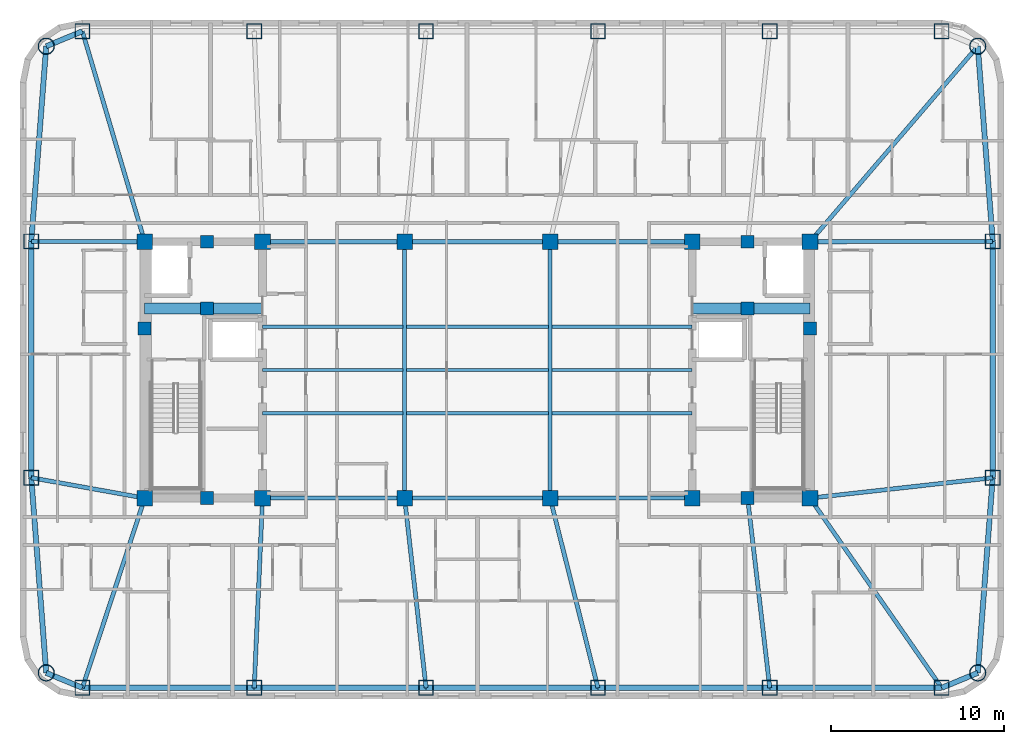
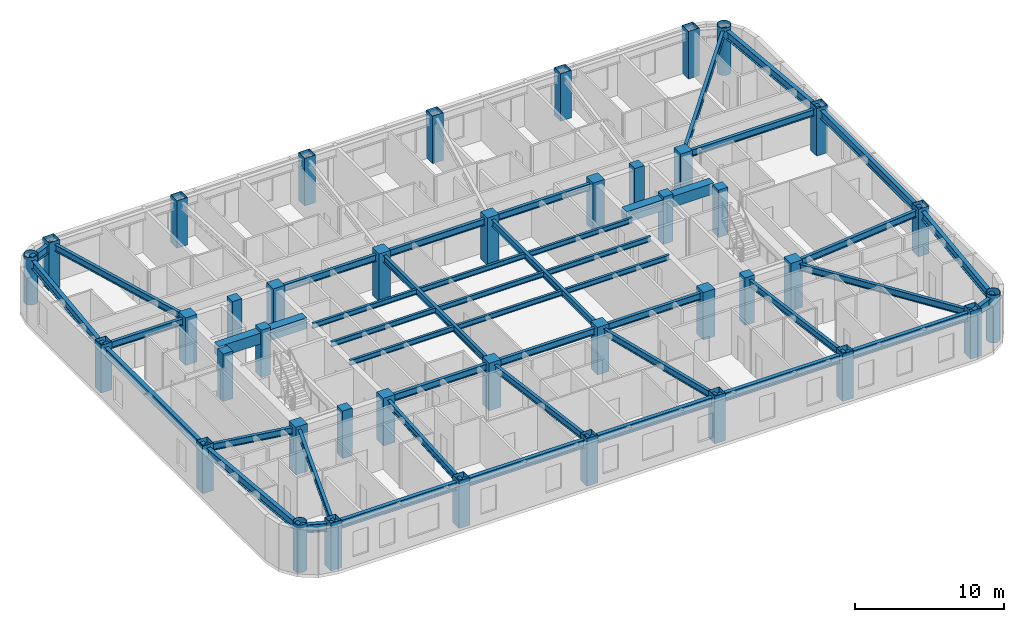
# One storey, part 1 of 11: 45 beams, 40 columns.
"""IFC4 building model written with IfcOpenShell, lengths in metres."""

from ifc_helpers import new_model, si_unit, direction, frame, origin, origin_2d, place, context, subcontext, project, spatial, rectangle, hollow_rectangle, hollow_circle, i_section, extrude, material, material_profile, profile_set, type_object, element, save


model = new_model("IFC4")

# Units and contexts
model_context = context("Model", 3, precision=1e-05, world=origin(), true_north=direction((0.0, 1.0)))
body_context = subcontext(model_context, "Body", "Model", "MODEL_VIEW")
ifc_project = project(units=[si_unit("LENGTHUNIT", "METRE"), si_unit("AREAUNIT", "SQUARE_METRE"), si_unit("VOLUMEUNIT", "CUBIC_METRE"), si_unit("PLANEANGLEUNIT", "RADIAN"), si_unit("MASSUNIT", "GRAM", prefix="KILO")], contexts=[model_context])

# Site, building, storey
site_placement = place(None, origin())
site = spatial("IfcSite", under=ifc_project, at=site_placement, CompositionType="ELEMENT")
building_placement = place(site_placement, origin())
building = spatial("IfcBuilding", under=site, at=building_placement, Name="Voryun Gate Residences", CompositionType="ELEMENT")
storey_placement = place(building_placement, frame((0.0, 0.0, 235.300048828125)))
storey = spatial("IfcBuildingStorey", under=building, at=storey_placement, Name="L58", CompositionType="ELEMENT", Elevation=235.300048828125)

# Columns
ifc_material_1 = material(Name="Concrete C50/60", Category="concrete")
ifc_material_profile_1 = material_profile(ifc_material_1, rectangle(XDim=0.75, YDim=0.75, at=origin_2d()), Name="RC-750x750")
ifc_profile_set_1 = profile_set([ifc_material_profile_1], Name="Concrete C50/60")
column_type_1 = type_object("IfcColumnType", Name="COL_CORE_750", PredefinedType="COLUMN", material=ifc_profile_set_1)
for number, where, z_axis, x_axis, name in (
    (1, (-19.199951171875, 2.39990234375, 0.0), (0.0, 0.0, 1.0), (1.0, 0.0, 0.0), "L58 Core boundary column WC-MW"),
    (2, (-15.60009765625, -7.39990234375, 0.0), (0.0, 0.0, 1.0), (1.0, 0.0, 0.0), "L58 Core boundary column WC-SM"),
    (3, (-15.60009765625, 7.39990234375, 0.0), (0.0, 0.0, 1.0), (1.0, 0.0, 0.0), "L58 Core boundary column WC-NM"),
    (4, (-15.60009765625, 3.550048828125, 0.0), (0.0, 0.0, 1.0), (1.0, 0.0, 0.0), "L58 Core boundary column WC-MM"),
    (5, (15.60009765625, 3.550048828125, 0.0), (0.0, 0.0, 1.0), (1.0, 0.0, 0.0), "L58 Core boundary column EC-MM"),
    (6, (15.60009765625, -7.39990234375, 0.0), (0.0, 0.0, 1.0), (1.0, 0.0, 0.0), "L58 Core boundary column EC-SM"),
    (7, (15.60009765625, 7.39990234375, 0.0), (0.0, 0.0, 1.0), (1.0, 0.0, 0.0), "L58 Core boundary column EC-NM"),
    (8, (19.199951171875, 2.39990234375, 0.0), (0.0, 0.0, 1.0), (1.0, 0.0, 0.0), "L58 Core boundary column EC-ME"),
):
    element("IfcColumn", number, at=place(storey_placement, frame(where, z_axis=z_axis, x_axis=x_axis)), inside=storey, type_object=column_type_1, Name=name, PredefinedType="COLUMN", context=body_context, shape_type="SweptSolid", body=[
        extrude(rectangle(XDim=0.75, YDim=0.75, at=origin_2d()), origin(), (0.0, 0.0, 1.0), 3.89990234375),
    ])
ifc_material_2 = material(Name="Concrete C50/60", Category="concrete")
ifc_material_profile_2 = material_profile(ifc_material_2, rectangle(XDim=0.89990234375, YDim=0.89990234375, at=origin_2d()), Name="RC-900x900")
ifc_profile_set_2 = profile_set([ifc_material_profile_2], Name="Concrete C50/60")
column_type_2 = type_object("IfcColumnType", Name="COL_CORE_900", PredefinedType="COLUMN", material=ifc_profile_set_2)
for number, where, z_axis, x_axis, name in (
    (9, (-19.199951171875, -7.39990234375, 0.0), (0.0, 0.0, 1.0), (1.0, 0.0, 0.0), "L58 Core boundary column WC-SW"),
    (10, (-19.199951171875, 7.39990234375, 0.0), (0.0, 0.0, 1.0), (1.0, 0.0, 0.0), "L58 Core boundary column WC-NW"),
    (11, (-12.39990234375, -7.39990234375, 0.0), (0.0, 0.0, 1.0), (1.0, 0.0, 0.0), "L58 Core boundary column WC-SE"),
    (12, (-12.39990234375, 7.39990234375, 0.0), (0.0, 0.0, 1.0), (1.0, 0.0, 0.0), "L58 Core boundary column WC-NE"),
    (13, (12.39990234375, -7.39990234375, 0.0), (0.0, 0.0, 1.0), (1.0, 0.0, 0.0), "L58 Core boundary column EC-SW"),
    (14, (12.39990234375, 7.39990234375, 0.0), (0.0, 0.0, 1.0), (1.0, 0.0, 0.0), "L58 Core boundary column EC-NW"),
    (15, (19.199951171875, -7.39990234375, 0.0), (0.0, 0.0, 1.0), (1.0, 0.0, 0.0), "L58 Core boundary column EC-SE"),
    (16, (19.199951171875, 7.39990234375, 0.0), (0.0, 0.0, 1.0), (1.0, 0.0, 0.0), "L58 Core boundary column EC-NE"),
    (17, (-4.199951171875, -7.39990234375, 0.0), (0.0, 0.0, 1.0), (1.0, 0.0, 0.0), "L58 Interior spine column SP-WS"),
    (18, (-4.199951171875, 7.39990234375, 0.0), (0.0, 0.0, 1.0), (1.0, 0.0, 0.0), "L58 Interior spine column SP-WN"),
    (19, (4.199951171875, -7.39990234375, 0.0), (0.0, 0.0, 1.0), (1.0, 0.0, 0.0), "L58 Interior spine column SP-ES"),
    (20, (4.199951171875, 7.39990234375, 0.0), (0.0, 0.0, 1.0), (1.0, 0.0, 0.0), "L58 Interior spine column SP-EN"),
):
    element("IfcColumn", number, at=place(storey_placement, frame(where, z_axis=z_axis, x_axis=x_axis)), inside=storey, type_object=column_type_2, Name=name, PredefinedType="COLUMN", context=body_context, shape_type="SweptSolid", body=[
        extrude(rectangle(XDim=0.89990234375, YDim=0.89990234375, at=origin_2d()), origin(), (0.0, 0.0, 1.0), 3.89990234375),
    ])
ifc_material_3 = material(Name="Steel SM420", Category="steel")
ifc_material_profile_3 = material_profile(ifc_material_3, hollow_circle(Radius=0.47509765625, WallThickness=0.031982421875, at=origin_2d()), Name="CHS-950x32")
ifc_profile_set_3 = profile_set([ifc_material_profile_3], Name="Steel SM420")
column_type_3 = type_object("IfcColumnType", Name="COL_CRN_950", PredefinedType="COLUMN", material=ifc_profile_set_3)
for number, where, z_axis, x_axis, name in (
    (21, (28.885986328125, -17.486083984375, 0.0), (0.0, 0.0, 1.0), (1.0, 0.0, 0.0), "L58 Exoskeleton column CSE"),
    (22, (28.885986328125, 18.68603515625, 0.0), (0.0, 0.0, 1.0), (1.0, 0.0, 0.0), "L58 Exoskeleton column CNE"),
    (23, (-24.885986328125, 18.68603515625, 0.0), (0.0, 0.0, 1.0), (1.0, 0.0, 0.0), "L58 Exoskeleton column CNW"),
    (24, (-24.885986328125, -17.486083984375, 0.0), (0.0, 0.0, 1.0), (1.0, 0.0, 0.0), "L58 Exoskeleton column CSW"),
):
    element("IfcColumn", number, at=place(storey_placement, frame(where, z_axis=z_axis, x_axis=x_axis)), inside=storey, type_object=column_type_3, Name=name, PredefinedType="COLUMN", context=body_context, shape_type="SweptSolid", body=[
        extrude(hollow_circle(Radius=0.47509765625, WallThickness=0.031982421875, at=origin_2d()), origin(), (0.0, 0.0, 1.0), 3.89990234375),
    ])
ifc_material_4 = material(Name="Steel SM355", Category="steel")
ifc_material_profile_4 = material_profile(ifc_material_4, hollow_rectangle(XDim=0.85009765625, YDim=0.85009765625, WallThickness=0.028076171875, at=origin_2d()), Name="BOX-850x850x28")
ifc_profile_set_4 = profile_set([ifc_material_profile_4], Name="Steel SM355")
column_type_4 = type_object("IfcColumnType", Name="COL_EXO_B4", PredefinedType="COLUMN", material=ifc_profile_set_4)
for number, where, z_axis, x_axis, name in (
    (25, (-22.800048828125, -18.35009765625, 0.0), (0.0, 0.0, 1.0), (1.0, 0.0, 0.0), "L58 Exoskeleton column S1"),
    (26, (-12.8798828125, -18.35009765625, 0.0), (0.0, 0.0, 1.0), (1.0, 0.0, 0.0), "L58 Exoskeleton column S2"),
    (27, (-2.9599609375, -18.35009765625, 0.0), (0.0, 0.0, 1.0), (1.0, 0.0, 0.0), "L58 Exoskeleton column S3"),
    (28, (6.9599609375, -18.35009765625, 0.0), (0.0, 0.0, 1.0), (1.0, 0.0, 0.0), "L58 Exoskeleton column S4"),
    (29, (16.8798828125, -18.35009765625, 0.0), (0.0, 0.0, 1.0), (1.0, 0.0, 0.0), "L58 Exoskeleton column S5"),
    (30, (26.800048828125, -18.35009765625, 0.0), (0.0, 0.0, 1.0), (1.0, 0.0, 0.0), "L58 Exoskeleton column S6"),
    (31, (29.75, -6.221923828125, 0.0), (0.0, 0.0, 1.0), (1.0, 0.0, 0.0), "L58 Exoskeleton column E1"),
    (32, (29.75, 7.422119140625, 0.0), (0.0, 0.0, 1.0), (1.0, 0.0, 0.0), "L58 Exoskeleton column E2"),
    (33, (26.800048828125, 19.550048828125, 0.0), (0.0, 0.0, 1.0), (1.0, 0.0, 0.0), "L58 Exoskeleton column N1"),
    (34, (16.8798828125, 19.550048828125, 0.0), (0.0, 0.0, 1.0), (1.0, 0.0, 0.0), "L58 Exoskeleton column N2"),
    (35, (6.9599609375, 19.550048828125, 0.0), (0.0, 0.0, 1.0), (1.0, 0.0, 0.0), "L58 Exoskeleton column N3"),
    (36, (-2.9599609375, 19.550048828125, 0.0), (0.0, 0.0, 1.0), (1.0, 0.0, 0.0), "L58 Exoskeleton column N4"),
    (37, (-12.8798828125, 19.550048828125, 0.0), (0.0, 0.0, 1.0), (1.0, 0.0, 0.0), "L58 Exoskeleton column N5"),
    (38, (-22.800048828125, 19.550048828125, 0.0), (0.0, 0.0, 1.0), (1.0, 0.0, 0.0), "L58 Exoskeleton column N6"),
    (39, (-25.75, 7.422119140625, 0.0), (0.0, 0.0, 1.0), (1.0, 0.0, 0.0), "L58 Exoskeleton column W1"),
    (40, (-25.75, -6.221923828125, 0.0), (0.0, 0.0, 1.0), (1.0, 0.0, 0.0), "L58 Exoskeleton column W2"),
):
    element("IfcColumn", number, at=place(storey_placement, frame(where, z_axis=z_axis, x_axis=x_axis)), inside=storey, type_object=column_type_4, Name=name, PredefinedType="COLUMN", context=body_context, shape_type="SweptSolid", body=[
        extrude(hollow_rectangle(XDim=0.85009765625, YDim=0.85009765625, WallThickness=0.028076171875, at=origin_2d()), origin(), (0.0, 0.0, 1.0), 3.89990234375),
    ])

# Beams
ifc_material_5 = material(Name="Concrete C60/75", Category="concrete")
ifc_material_profile_5 = material_profile(ifc_material_5, rectangle(XDim=0.64990234375, YDim=0.89990234375, at=origin_2d()), Name="RC-650x900")
ifc_profile_set_5 = profile_set([ifc_material_profile_5], Name="Concrete C60/75")
beam_type_1 = type_object("IfcBeamType", Name="BM_COUP_RC900", PredefinedType="LINTEL", material=ifc_profile_set_5)
for number, where, z_axis, x_axis, name in (
    (41, (-19.199951171875, 3.550048828125, 3.199951171875), (1.0, 0.0, 0.0), (0.0, 1.0, 0.0), "BM-L58-WC1"),
    (42, (12.39990234375, 3.550048828125, 3.199951171875), (1.0, 0.0, 0.0), (0.0, 1.0, 0.0), "BM-L58-EC1"),
):
    element("IfcBeam", number, at=place(storey_placement, frame(where, z_axis=z_axis, x_axis=x_axis)), inside=storey, type_object=beam_type_1, Name=name, PredefinedType="LINTEL", context=body_context, shape_type="SweptSolid", body=[
        extrude(rectangle(XDim=0.64990234375, YDim=0.89990234375, at=origin_2d()), origin(), (0.0, 0.0, 1.0), 6.800048828125),
    ])
ifc_material_6 = material(Name="Steel SM355", Category="steel")
ifc_material_profile_6 = material_profile(ifc_material_6, i_section(OverallWidth=0.300048828125, OverallDepth=0.679931640625, WebThickness=0.013916015625, FlangeThickness=0.02490234375, FilletRadius=0.01806640625, at=origin_2d()), Name="H-680x300x14x25")
ifc_profile_set_6 = profile_set([ifc_material_profile_6], Name="Steel SM355")
beam_type_2 = type_object("IfcBeamType", Name="BM_EXO_SPANDREL_M", PredefinedType="SPANDREL", material=ifc_profile_set_6)
beam_1_placement = place(storey_placement, frame((-22.800048828125, -18.35009765625, 3.31005859375), z_axis=(1.0, 0.0, 0.0), x_axis=(0.0, 1.0, 0.0)))
element("IfcBeam", 43, at=beam_1_placement, inside=storey, type_object=beam_type_2, Name="BM-L58-SPAND-01", PredefinedType="SPANDREL", context=body_context, shape_type="SweptSolid", body=[
    extrude(i_section(OverallWidth=0.300048828125, OverallDepth=0.679931640625, WebThickness=0.013916015625, FlangeThickness=0.02490234375, FilletRadius=0.01806640625, at=origin_2d()), origin(), (0.0, 0.0, 1.0), 9.920166015625),
])
for number, where, z_axis, x_axis, name in (
    (44, (-12.8798828125, -18.35009765625, 3.31005859375), (1.0, 0.0, 0.0), (0.0, 1.0, 0.0), "BM-L58-SPAND-02"),
    (45, (-2.9599609375, -18.35009765625, 3.31005859375), (1.0, 0.0, 0.0), (0.0, 1.0, 0.0), "BM-L58-SPAND-03"),
    (46, (6.9599609375, -18.35009765625, 3.31005859375), (1.0, 0.0, 0.0), (0.0, 1.0, 0.0), "BM-L58-SPAND-04"),
):
    element("IfcBeam", number, at=place(storey_placement, frame(where, z_axis=z_axis, x_axis=x_axis)), inside=storey, type_object=beam_type_2, Name=name, PredefinedType="SPANDREL", context=body_context, shape_type="SweptSolid", body=[
        extrude(i_section(OverallWidth=0.300048828125, OverallDepth=0.679931640625, WebThickness=0.013916015625, FlangeThickness=0.02490234375, FilletRadius=0.01806640625, at=origin_2d()), origin(), (0.0, 0.0, 1.0), 9.919921875),
    ])
beam_2_placement = place(storey_placement, frame((16.8798828125, -18.35009765625, 3.31005859375), z_axis=(1.0, 0.0, 0.0), x_axis=(0.0, 1.0, 0.0)))
element("IfcBeam", 47, at=beam_2_placement, inside=storey, type_object=beam_type_2, Name="BM-L58-SPAND-05", PredefinedType="SPANDREL", context=body_context, shape_type="SweptSolid", body=[
    extrude(i_section(OverallWidth=0.300048828125, OverallDepth=0.679931640625, WebThickness=0.013916015625, FlangeThickness=0.02490234375, FilletRadius=0.01806640625, at=origin_2d()), origin(), (0.0, 0.0, 1.0), 9.920166015625),
])
beam_3_placement = place(storey_placement, frame((26.800048828125, -18.35009765625, 3.31005859375), z_axis=(0.923881087602, 0.382679678022, 0.0), x_axis=(-0.382679678022, 0.923881087602, 0.0)))
element("IfcBeam", 48, at=beam_3_placement, inside=storey, type_object=beam_type_2, Name="BM-L58-SPAND-06", PredefinedType="SPANDREL", context=body_context, shape_type="SweptSolid", body=[
    extrude(i_section(OverallWidth=0.300048828125, OverallDepth=0.679931640625, WebThickness=0.013916015625, FlangeThickness=0.02490234375, FilletRadius=0.01806640625, at=origin_2d()), origin(), (0.0, 0.0, 1.0), 2.2578125),
])
beam_4_placement = place(storey_placement, frame((28.885986328125, -17.486083984375, 3.31005859375), z_axis=(0.076480009441, 0.997071114894, 0.0), x_axis=(-0.997071114894, 0.076480009441, 0.0)))
element("IfcBeam", 49, at=beam_4_placement, inside=storey, type_object=beam_type_2, Name="BM-L58-SPAND-07", PredefinedType="SPANDREL", context=body_context, shape_type="SweptSolid", body=[
    extrude(i_section(OverallWidth=0.300048828125, OverallDepth=0.679931640625, WebThickness=0.013916015625, FlangeThickness=0.02490234375, FilletRadius=0.01806640625, at=origin_2d()), origin(), (0.0, 0.0, 1.0), 11.29736328125),
])
beam_5_placement = place(storey_placement, frame((29.75, -6.221923828125, 3.31005859375), z_axis=(0.0, 1.0, 0.0), x_axis=(-1.0, 0.0, 0.0)))
element("IfcBeam", 50, at=beam_5_placement, inside=storey, type_object=beam_type_2, Name="BM-L58-SPAND-08", PredefinedType="SPANDREL", context=body_context, shape_type="SweptSolid", body=[
    extrude(i_section(OverallWidth=0.300048828125, OverallDepth=0.679931640625, WebThickness=0.013916015625, FlangeThickness=0.02490234375, FilletRadius=0.01806640625, at=origin_2d()), origin(), (0.0, 0.0, 1.0), 13.64404296875),
])
beam_6_placement = place(storey_placement, frame((29.75, 7.422119140625, 3.31005859375), z_axis=(-0.076481657417, 0.997070988485, 0.0), x_axis=(-0.997070988485, -0.076481657417, 0.0)))
element("IfcBeam", 51, at=beam_6_placement, inside=storey, type_object=beam_type_2, Name="BM-L58-SPAND-09", PredefinedType="SPANDREL", context=body_context, shape_type="SweptSolid", body=[
    extrude(i_section(OverallWidth=0.300048828125, OverallDepth=0.679931640625, WebThickness=0.013916015625, FlangeThickness=0.02490234375, FilletRadius=0.01806640625, at=origin_2d()), origin(), (0.0, 0.0, 1.0), 11.297119140625),
])
beam_7_placement = place(storey_placement, frame((-22.800048828125, 19.550048828125, 3.31005859375), z_axis=(-0.923881087602, -0.382679678022, 0.0), x_axis=(0.382679678022, -0.923881087602, 0.0)))
element("IfcBeam", 52, at=beam_7_placement, inside=storey, type_object=beam_type_2, Name="BM-L58-SPAND-16", PredefinedType="SPANDREL", context=body_context, shape_type="SweptSolid", body=[
    extrude(i_section(OverallWidth=0.300048828125, OverallDepth=0.679931640625, WebThickness=0.013916015625, FlangeThickness=0.02490234375, FilletRadius=0.01806640625, at=origin_2d()), origin(), (0.0, 0.0, 1.0), 2.2578125),
])
beam_8_placement = place(storey_placement, frame((-24.885986328125, 18.68603515625, 3.31005859375), z_axis=(-0.076481657417, -0.997070988485, 0.0), x_axis=(0.997070988485, -0.076481657417, 0.0)))
element("IfcBeam", 53, at=beam_8_placement, inside=storey, type_object=beam_type_2, Name="BM-L58-SPAND-17", PredefinedType="SPANDREL", context=body_context, shape_type="SweptSolid", body=[
    extrude(i_section(OverallWidth=0.300048828125, OverallDepth=0.679931640625, WebThickness=0.013916015625, FlangeThickness=0.02490234375, FilletRadius=0.01806640625, at=origin_2d()), origin(), (0.0, 0.0, 1.0), 11.297119140625),
])
beam_9_placement = place(storey_placement, frame((-25.75, 7.422119140625, 3.31005859375), z_axis=(0.0, -1.0, 0.0), x_axis=(1.0, 0.0, 0.0)))
element("IfcBeam", 54, at=beam_9_placement, inside=storey, type_object=beam_type_2, Name="BM-L58-SPAND-18", PredefinedType="SPANDREL", context=body_context, shape_type="SweptSolid", body=[
    extrude(i_section(OverallWidth=0.300048828125, OverallDepth=0.679931640625, WebThickness=0.013916015625, FlangeThickness=0.02490234375, FilletRadius=0.01806640625, at=origin_2d()), origin(), (0.0, 0.0, 1.0), 13.64404296875),
])
beam_10_placement = place(storey_placement, frame((-25.75, -6.221923828125, 3.31005859375), z_axis=(0.076480009441, -0.997071114894, 0.0), x_axis=(0.997071114894, 0.076480009441, 0.0)))
element("IfcBeam", 55, at=beam_10_placement, inside=storey, type_object=beam_type_2, Name="BM-L58-SPAND-19", PredefinedType="SPANDREL", context=body_context, shape_type="SweptSolid", body=[
    extrude(i_section(OverallWidth=0.300048828125, OverallDepth=0.679931640625, WebThickness=0.013916015625, FlangeThickness=0.02490234375, FilletRadius=0.01806640625, at=origin_2d()), origin(), (0.0, 0.0, 1.0), 11.29736328125),
])
beam_11_placement = place(storey_placement, frame((-24.885986328125, -17.486083984375, 3.31005859375), z_axis=(0.923881087602, -0.382679678022, 0.0), x_axis=(0.382679678022, 0.923881087602, 0.0)))
element("IfcBeam", 56, at=beam_11_placement, inside=storey, type_object=beam_type_2, Name="BM-L58-SPAND-20", PredefinedType="SPANDREL", context=body_context, shape_type="SweptSolid", body=[
    extrude(i_section(OverallWidth=0.300048828125, OverallDepth=0.679931640625, WebThickness=0.013916015625, FlangeThickness=0.02490234375, FilletRadius=0.01806640625, at=origin_2d()), origin(), (0.0, 0.0, 1.0), 2.2578125),
])
ifc_material_7 = material(Name="Steel SM355", Category="steel")
ifc_material_profile_7 = material_profile(ifc_material_7, i_section(OverallWidth=0.239990234375, OverallDepth=0.550048828125, WebThickness=0.011962890625, FlangeThickness=0.02001953125, FilletRadius=0.01806640625, at=origin_2d()), Name="H-550x240x12x20")
ifc_profile_set_7 = profile_set([ifc_material_profile_7], Name="Steel SM355")
beam_type_3 = type_object("IfcBeamType", Name="BM_GIRD_550", PredefinedType="USERDEFINED", material=ifc_profile_set_7)
beam_12_placement = place(storey_placement, frame((-12.39990234375, -7.39990234375, 3.375), z_axis=(1.0, 0.0, 0.0), x_axis=(0.0, 1.0, 0.0)))
element("IfcBeam", 57, at=beam_12_placement, inside=storey, type_object=beam_type_3, Name="BM-L58-SPG1-S", ObjectType="GIRDER", PredefinedType="USERDEFINED", context=body_context, shape_type="SweptSolid", body=[
    extrude(i_section(OverallWidth=0.239990234375, OverallDepth=0.550048828125, WebThickness=0.011962890625, FlangeThickness=0.02001953125, FilletRadius=0.01806640625, at=origin_2d()), origin(), (0.0, 0.0, 1.0), 8.199951171875),
])
beam_13_placement = place(storey_placement, frame((-4.199951171875, -7.39990234375, 3.375), z_axis=(1.0, 0.0, 0.0), x_axis=(0.0, 1.0, 0.0)))
element("IfcBeam", 58, at=beam_13_placement, inside=storey, type_object=beam_type_3, Name="BM-L58-SPG2-S", ObjectType="GIRDER", PredefinedType="USERDEFINED", context=body_context, shape_type="SweptSolid", body=[
    extrude(i_section(OverallWidth=0.239990234375, OverallDepth=0.550048828125, WebThickness=0.011962890625, FlangeThickness=0.02001953125, FilletRadius=0.01806640625, at=origin_2d()), origin(), (0.0, 0.0, 1.0), 8.39990234375),
])
for number, where, z_axis, x_axis, name in (
    (59, (4.199951171875, -7.39990234375, 3.375), (1.0, 0.0, 0.0), (0.0, 1.0, 0.0), "BM-L58-SPG3-S"),
    (60, (-12.39990234375, 7.39990234375, 3.375), (1.0, 0.0, 0.0), (0.0, 1.0, 0.0), "BM-L58-SPG1-N"),
):
    element("IfcBeam", number, at=place(storey_placement, frame(where, z_axis=z_axis, x_axis=x_axis)), inside=storey, type_object=beam_type_3, Name=name, ObjectType="GIRDER", PredefinedType="USERDEFINED", context=body_context, shape_type="SweptSolid", body=[
        extrude(i_section(OverallWidth=0.239990234375, OverallDepth=0.550048828125, WebThickness=0.011962890625, FlangeThickness=0.02001953125, FilletRadius=0.01806640625, at=origin_2d()), origin(), (0.0, 0.0, 1.0), 8.199951171875),
    ])
beam_14_placement = place(storey_placement, frame((-4.199951171875, 7.39990234375, 3.375), z_axis=(1.0, 0.0, 0.0), x_axis=(0.0, 1.0, 0.0)))
element("IfcBeam", 61, at=beam_14_placement, inside=storey, type_object=beam_type_3, Name="BM-L58-SPG2-N", ObjectType="GIRDER", PredefinedType="USERDEFINED", context=body_context, shape_type="SweptSolid", body=[
    extrude(i_section(OverallWidth=0.239990234375, OverallDepth=0.550048828125, WebThickness=0.011962890625, FlangeThickness=0.02001953125, FilletRadius=0.01806640625, at=origin_2d()), origin(), (0.0, 0.0, 1.0), 8.39990234375),
])
beam_15_placement = place(storey_placement, frame((4.199951171875, 7.39990234375, 3.375), z_axis=(1.0, 0.0, 0.0), x_axis=(0.0, 1.0, 0.0)))
element("IfcBeam", 62, at=beam_15_placement, inside=storey, type_object=beam_type_3, Name="BM-L58-SPG3-N", ObjectType="GIRDER", PredefinedType="USERDEFINED", context=body_context, shape_type="SweptSolid", body=[
    extrude(i_section(OverallWidth=0.239990234375, OverallDepth=0.550048828125, WebThickness=0.011962890625, FlangeThickness=0.02001953125, FilletRadius=0.01806640625, at=origin_2d()), origin(), (0.0, 0.0, 1.0), 8.199951171875),
])
for number, where, z_axis, x_axis, name in (
    (63, (-4.199951171875, -7.39990234375, 3.375), (0.0, 1.0, 0.0), (-1.0, 0.0, 0.0), "BM-L58-SPX-W"),
    (64, (4.199951171875, -7.39990234375, 3.375), (0.0, 1.0, 0.0), (-1.0, 0.0, 0.0), "BM-L58-SPX-E"),
):
    element("IfcBeam", number, at=place(storey_placement, frame(where, z_axis=z_axis, x_axis=x_axis)), inside=storey, type_object=beam_type_3, Name=name, ObjectType="GIRDER", PredefinedType="USERDEFINED", context=body_context, shape_type="SweptSolid", body=[
        extrude(i_section(OverallWidth=0.239990234375, OverallDepth=0.550048828125, WebThickness=0.011962890625, FlangeThickness=0.02001953125, FilletRadius=0.01806640625, at=origin_2d()), origin(), (0.0, 0.0, 1.0), 14.7998046875),
    ])
beam_16_placement = place(storey_placement, frame((-19.199951171875, -7.39990234375, 3.375), z_axis=(-0.312323693326, -0.949975742104, 0.0), x_axis=(0.949975742104, -0.312323693326, 0.0)))
element("IfcBeam", 65, at=beam_16_placement, inside=storey, type_object=beam_type_3, Name="BM-L58-RAD-S1", ObjectType="GIRDER", PredefinedType="USERDEFINED", context=body_context, shape_type="SweptSolid", body=[
    extrude(i_section(OverallWidth=0.239990234375, OverallDepth=0.550048828125, WebThickness=0.011962890625, FlangeThickness=0.02001953125, FilletRadius=0.01806640625, at=origin_2d()), origin(), (0.0, 0.0, 1.0), 11.52685546875),
])
beam_17_placement = place(storey_placement, frame((-12.39990234375, -7.39990234375, 3.375), z_axis=(-0.043791002488, -0.999040713936, 0.0), x_axis=(0.999040713936, -0.043791002488, 0.0)))
element("IfcBeam", 66, at=beam_17_placement, inside=storey, type_object=beam_type_3, Name="BM-L58-RAD-S2", ObjectType="GIRDER", PredefinedType="USERDEFINED", context=body_context, shape_type="SweptSolid", body=[
    extrude(i_section(OverallWidth=0.239990234375, OverallDepth=0.550048828125, WebThickness=0.011962890625, FlangeThickness=0.02001953125, FilletRadius=0.01806640625, at=origin_2d()), origin(), (0.0, 0.0, 1.0), 10.960693359375),
])
beam_18_placement = place(storey_placement, frame((-4.199951171875, -7.39990234375, 3.375), z_axis=(0.112519968476, -0.993649463691, 0.0), x_axis=(0.993649463691, 0.112519968476, 0.0)))
element("IfcBeam", 67, at=beam_18_placement, inside=storey, type_object=beam_type_3, Name="BM-L58-RAD-S3", ObjectType="GIRDER", PredefinedType="USERDEFINED", context=body_context, shape_type="SweptSolid", body=[
    extrude(i_section(OverallWidth=0.239990234375, OverallDepth=0.550048828125, WebThickness=0.011962890625, FlangeThickness=0.02001953125, FilletRadius=0.01806640625, at=origin_2d()), origin(), (0.0, 0.0, 1.0), 11.020263671875),
])
beam_19_placement = place(storey_placement, frame((4.199951171875, -7.39990234375, 3.375), z_axis=(0.24440715799, -0.969672697936, 0.0), x_axis=(0.969672697936, 0.24440715799, 0.0)))
element("IfcBeam", 68, at=beam_19_placement, inside=storey, type_object=beam_type_3, Name="BM-L58-RAD-S4", ObjectType="GIRDER", PredefinedType="USERDEFINED", context=body_context, shape_type="SweptSolid", body=[
    extrude(i_section(OverallWidth=0.239990234375, OverallDepth=0.550048828125, WebThickness=0.011962890625, FlangeThickness=0.02001953125, FilletRadius=0.01806640625, at=origin_2d()), origin(), (0.0, 0.0, 1.0), 11.292724609375),
])
beam_20_placement = place(storey_placement, frame((15.60009765625, -7.39990234375, 3.375), z_axis=(0.116083150214, -0.993239498931, 0.0), x_axis=(0.993239498931, 0.116083150214, 0.0)))
element("IfcBeam", 69, at=beam_20_placement, inside=storey, type_object=beam_type_3, Name="BM-L58-RAD-S5", ObjectType="GIRDER", PredefinedType="USERDEFINED", context=body_context, shape_type="SweptSolid", body=[
    extrude(i_section(OverallWidth=0.239990234375, OverallDepth=0.550048828125, WebThickness=0.011962890625, FlangeThickness=0.02001953125, FilletRadius=0.01806640625, at=origin_2d()), origin(), (0.0, 0.0, 1.0), 11.024658203125),
])
beam_21_placement = place(storey_placement, frame((19.199951171875, -7.39990234375, 3.375), z_axis=(0.570182975489, -0.821517726201, 0.0), x_axis=(0.821517726201, 0.570182975489, 0.0)))
element("IfcBeam", 70, at=beam_21_placement, inside=storey, type_object=beam_type_3, Name="BM-L58-RAD-S6", ObjectType="GIRDER", PredefinedType="USERDEFINED", context=body_context, shape_type="SweptSolid", body=[
    extrude(i_section(OverallWidth=0.239990234375, OverallDepth=0.550048828125, WebThickness=0.011962890625, FlangeThickness=0.02001953125, FilletRadius=0.01806640625, at=origin_2d()), origin(), (0.0, 0.0, 1.0), 13.329345703125),
])
beam_22_placement = place(storey_placement, frame((19.199951171875, -7.39990234375, 3.375), z_axis=(0.993824131675, 0.110966640486, 0.0), x_axis=(-0.110966640486, 0.993824131675, 0.0)))
element("IfcBeam", 71, at=beam_22_placement, inside=storey, type_object=beam_type_3, Name="BM-L58-RAD-E1", ObjectType="GIRDER", PredefinedType="USERDEFINED", context=body_context, shape_type="SweptSolid", body=[
    extrude(i_section(OverallWidth=0.239990234375, OverallDepth=0.550048828125, WebThickness=0.011962890625, FlangeThickness=0.02001953125, FilletRadius=0.01806640625, at=origin_2d()), origin(), (0.0, 0.0, 1.0), 10.61572265625),
])
beam_23_placement = place(storey_placement, frame((19.199951171875, 7.39990234375, 3.375), z_axis=(0.99999778271, 0.002105843108, 0.0), x_axis=(-0.002105843108, 0.99999778271, 0.0)))
element("IfcBeam", 72, at=beam_23_placement, inside=storey, type_object=beam_type_3, Name="BM-L58-RAD-E2", ObjectType="GIRDER", PredefinedType="USERDEFINED", context=body_context, shape_type="SweptSolid", body=[
    extrude(i_section(OverallWidth=0.239990234375, OverallDepth=0.550048828125, WebThickness=0.011962890625, FlangeThickness=0.02001953125, FilletRadius=0.01806640625, at=origin_2d()), origin(), (0.0, 0.0, 1.0), 10.550048828125),
])
beam_24_placement = place(storey_placement, frame((19.199951171875, 7.39990234375, 3.375), z_axis=(0.651264396721, 0.758850898111, 0.0), x_axis=(-0.758850898111, 0.651264396721, 0.0)))
element("IfcBeam", 73, at=beam_24_placement, inside=storey, type_object=beam_type_3, Name="BM-L58-RAD-CNE", ObjectType="GIRDER", PredefinedType="USERDEFINED", context=body_context, shape_type="SweptSolid", body=[
    extrude(i_section(OverallWidth=0.239990234375, OverallDepth=0.550048828125, WebThickness=0.011962890625, FlangeThickness=0.02001953125, FilletRadius=0.01806640625, at=origin_2d()), origin(), (0.0, 0.0, 1.0), 14.87255859375),
])
beam_25_placement = place(storey_placement, frame((-19.199951171875, 7.39990234375, 3.375), z_axis=(-0.284092265434, 0.958796946553, 0.0), x_axis=(-0.958796946553, -0.284092265434, 0.0)))
element("IfcBeam", 74, at=beam_25_placement, inside=storey, type_object=beam_type_3, Name="BM-L58-RAD-N6", ObjectType="GIRDER", PredefinedType="USERDEFINED", context=body_context, shape_type="SweptSolid", body=[
    extrude(i_section(OverallWidth=0.239990234375, OverallDepth=0.550048828125, WebThickness=0.011962890625, FlangeThickness=0.02001953125, FilletRadius=0.01806640625, at=origin_2d()), origin(), (0.0, 0.0, 1.0), 12.67236328125),
])
beam_26_placement = place(storey_placement, frame((-19.199951171875, 7.39990234375, 3.375), z_axis=(-0.999994247719, 0.003391832589, 0.0), x_axis=(-0.003391832589, -0.999994247719, 0.0)))
element("IfcBeam", 75, at=beam_26_placement, inside=storey, type_object=beam_type_3, Name="BM-L58-RAD-W1", ObjectType="GIRDER", PredefinedType="USERDEFINED", context=body_context, shape_type="SweptSolid", body=[
    extrude(i_section(OverallWidth=0.239990234375, OverallDepth=0.550048828125, WebThickness=0.011962890625, FlangeThickness=0.02001953125, FilletRadius=0.01806640625, at=origin_2d()), origin(), (0.0, 0.0, 1.0), 6.550048828125),
])
beam_27_placement = place(storey_placement, frame((-19.199951171875, -7.39990234375, 3.375), z_axis=(-0.984210303638, 0.177003045773, 0.0), x_axis=(-0.177003045773, -0.984210303638, 0.0)))
element("IfcBeam", 76, at=beam_27_placement, inside=storey, type_object=beam_type_3, Name="BM-L58-RAD-W2", ObjectType="GIRDER", PredefinedType="USERDEFINED", context=body_context, shape_type="SweptSolid", body=[
    extrude(i_section(OverallWidth=0.239990234375, OverallDepth=0.550048828125, WebThickness=0.011962890625, FlangeThickness=0.02001953125, FilletRadius=0.01806640625, at=origin_2d()), origin(), (0.0, 0.0, 1.0), 6.655029296875),
])
ifc_material_8 = material(Name="Steel SM355", Category="steel")
ifc_material_profile_8 = material_profile(ifc_material_8, i_section(OverallWidth=0.18994140625, OverallDepth=0.419921875, WebThickness=0.009033203125, FlangeThickness=0.01611328125, FilletRadius=0.01806640625, at=origin_2d()), Name="H-420x190x9x16")
ifc_profile_set_8 = profile_set([ifc_material_profile_8], Name="Steel SM355")
beam_type_4 = type_object("IfcBeamType", Name="BM_SEC_420", PredefinedType="BEAM", material=ifc_profile_set_8)
beam_28_placement = place(storey_placement, frame((-12.39990234375, -2.5, 3.43994140625), z_axis=(1.0, 0.0, 0.0), x_axis=(0.0, 1.0, 0.0)))
element("IfcBeam", 77, at=beam_28_placement, inside=storey, type_object=beam_type_4, Name="BM-L58-SEC-CS1", PredefinedType="BEAM", context=body_context, shape_type="SweptSolid", body=[
    extrude(i_section(OverallWidth=0.18994140625, OverallDepth=0.419921875, WebThickness=0.009033203125, FlangeThickness=0.01611328125, FilletRadius=0.01806640625, at=origin_2d()), origin(), (0.0, 0.0, 1.0), 8.099853515625),
])
beam_29_placement = place(storey_placement, frame((-4.10009765625, -2.5, 3.43994140625), z_axis=(1.0, 0.0, 0.0), x_axis=(0.0, 1.0, 0.0)))
element("IfcBeam", 78, at=beam_29_placement, inside=storey, type_object=beam_type_4, Name="BM-L58-SEC-CS2", PredefinedType="BEAM", context=body_context, shape_type="SweptSolid", body=[
    extrude(i_section(OverallWidth=0.18994140625, OverallDepth=0.419921875, WebThickness=0.009033203125, FlangeThickness=0.01611328125, FilletRadius=0.01806640625, at=origin_2d()), origin(), (0.0, 0.0, 1.0), 8.2001953125),
])
for number, where, z_axis, x_axis, name in (
    (79, (4.300048828125, -2.5, 3.43994140625), (1.0, 0.0, 0.0), (0.0, 1.0, 0.0), "BM-L58-SEC-CS3"),
    (80, (-12.39990234375, 0.0, 3.43994140625), (1.0, 0.0, 0.0), (0.0, 1.0, 0.0), "BM-L58-SEC-CM1"),
):
    element("IfcBeam", number, at=place(storey_placement, frame(where, z_axis=z_axis, x_axis=x_axis)), inside=storey, type_object=beam_type_4, Name=name, PredefinedType="BEAM", context=body_context, shape_type="SweptSolid", body=[
        extrude(i_section(OverallWidth=0.18994140625, OverallDepth=0.419921875, WebThickness=0.009033203125, FlangeThickness=0.01611328125, FilletRadius=0.01806640625, at=origin_2d()), origin(), (0.0, 0.0, 1.0), 8.099853515625),
    ])
beam_30_placement = place(storey_placement, frame((-4.10009765625, 0.0, 3.43994140625), z_axis=(1.0, 0.0, 0.0), x_axis=(0.0, 1.0, 0.0)))
element("IfcBeam", 81, at=beam_30_placement, inside=storey, type_object=beam_type_4, Name="BM-L58-SEC-CM2", PredefinedType="BEAM", context=body_context, shape_type="SweptSolid", body=[
    extrude(i_section(OverallWidth=0.18994140625, OverallDepth=0.419921875, WebThickness=0.009033203125, FlangeThickness=0.01611328125, FilletRadius=0.01806640625, at=origin_2d()), origin(), (0.0, 0.0, 1.0), 8.2001953125),
])
for number, where, z_axis, x_axis, name in (
    (82, (4.300048828125, 0.0, 3.43994140625), (1.0, 0.0, 0.0), (0.0, 1.0, 0.0), "BM-L58-SEC-CM3"),
    (83, (-12.39990234375, 2.5, 3.43994140625), (1.0, 0.0, 0.0), (0.0, 1.0, 0.0), "BM-L58-SEC-CN1"),
):
    element("IfcBeam", number, at=place(storey_placement, frame(where, z_axis=z_axis, x_axis=x_axis)), inside=storey, type_object=beam_type_4, Name=name, PredefinedType="BEAM", context=body_context, shape_type="SweptSolid", body=[
        extrude(i_section(OverallWidth=0.18994140625, OverallDepth=0.419921875, WebThickness=0.009033203125, FlangeThickness=0.01611328125, FilletRadius=0.01806640625, at=origin_2d()), origin(), (0.0, 0.0, 1.0), 8.099853515625),
    ])
beam_31_placement = place(storey_placement, frame((-4.10009765625, 2.5, 3.43994140625), z_axis=(1.0, 0.0, 0.0), x_axis=(0.0, 1.0, 0.0)))
element("IfcBeam", 84, at=beam_31_placement, inside=storey, type_object=beam_type_4, Name="BM-L58-SEC-CN2", PredefinedType="BEAM", context=body_context, shape_type="SweptSolid", body=[
    extrude(i_section(OverallWidth=0.18994140625, OverallDepth=0.419921875, WebThickness=0.009033203125, FlangeThickness=0.01611328125, FilletRadius=0.01806640625, at=origin_2d()), origin(), (0.0, 0.0, 1.0), 8.2001953125),
])
beam_32_placement = place(storey_placement, frame((4.300048828125, 2.5, 3.43994140625), z_axis=(1.0, 0.0, 0.0), x_axis=(0.0, 1.0, 0.0)))
element("IfcBeam", 85, at=beam_32_placement, inside=storey, type_object=beam_type_4, Name="BM-L58-SEC-CN3", PredefinedType="BEAM", context=body_context, shape_type="SweptSolid", body=[
    extrude(i_section(OverallWidth=0.18994140625, OverallDepth=0.419921875, WebThickness=0.009033203125, FlangeThickness=0.01611328125, FilletRadius=0.01806640625, at=origin_2d()), origin(), (0.0, 0.0, 1.0), 8.099853515625),
])

save(model, "model.ifc")
